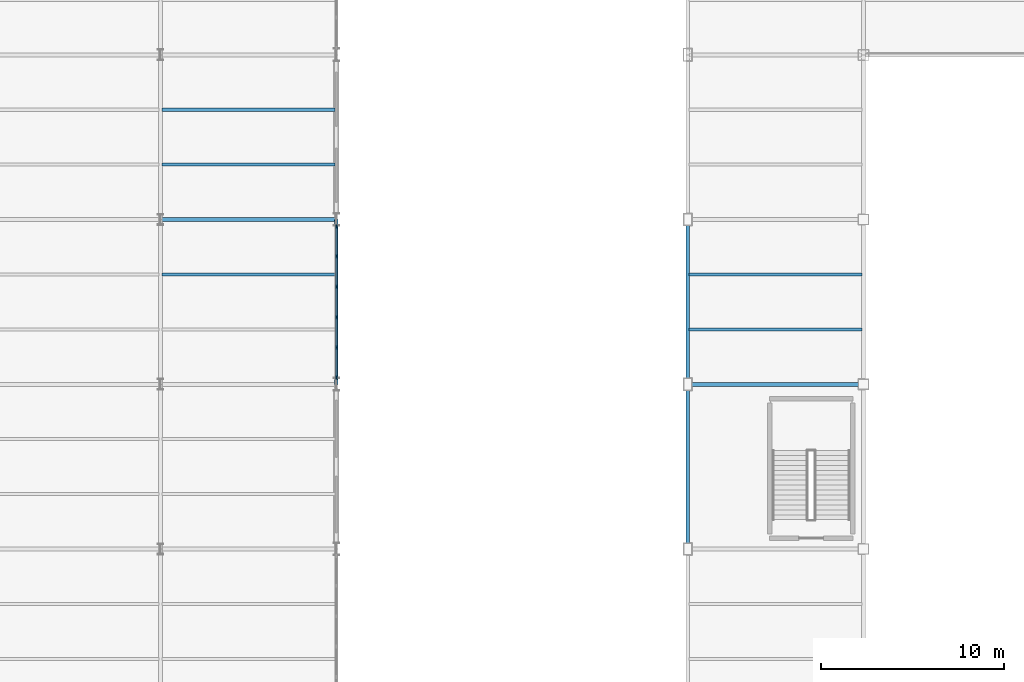
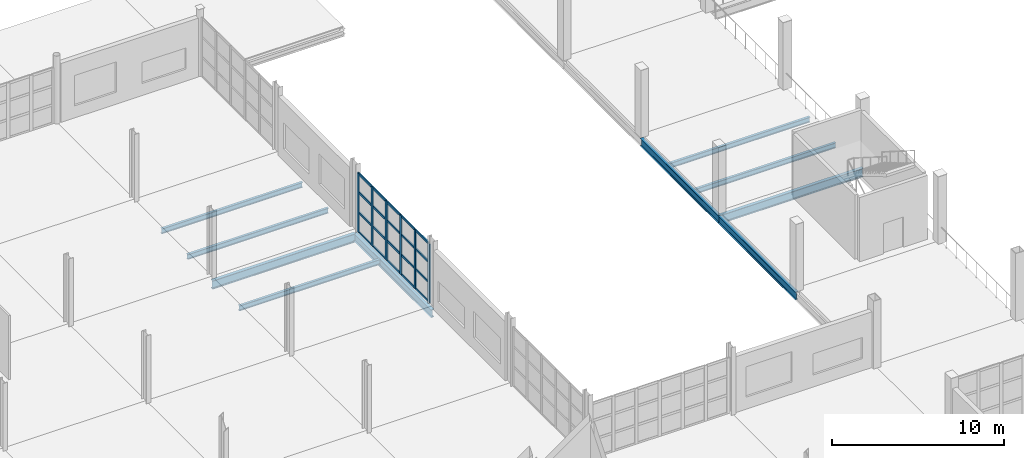
# One storey, part 24 of 120: 26 members, 10 beams, 1 element without a shape of its own.
"""IFC4 building model written with IfcOpenShell, lengths in metres."""

from ifc_helpers import new_model, si_unit, direction, frame, origin, origin_2d, place, context, subcontext, project, spatial, rectangle, i_section, extrude, material, layer, layer_set, material_profile, profile_set, type_object, element, aggregate, save


model = new_model("IFC4")

# Units and contexts
model_context = context("Model", 3, precision=1e-05, world=origin(), true_north=direction((0.0, 1.0)))
body_context = subcontext(model_context, "Body", "Model", "MODEL_VIEW")
ifc_project = project(units=[si_unit("LENGTHUNIT", "METRE"), si_unit("AREAUNIT", "SQUARE_METRE"), si_unit("VOLUMEUNIT", "CUBIC_METRE"), si_unit("PLANEANGLEUNIT", "RADIAN"), si_unit("MASSUNIT", "GRAM", prefix="KILO")], contexts=[model_context])

# Site, building, storey
site_placement = place(None, origin())
site = spatial("IfcSite", under=ifc_project, at=site_placement, CompositionType="ELEMENT")
building_placement = place(site_placement, origin())
building = spatial("IfcBuilding", under=site, at=building_placement, Name="Zarnetskaya Central Station", CompositionType="ELEMENT")
storey_placement = place(building_placement, frame((0.0, 0.0, 5.39990234375)))
storey = spatial("IfcBuildingStorey", under=building, at=storey_placement, Name="L01", CompositionType="ELEMENT", Elevation=5.39990234375)

# Beams
ifc_material_1 = material(Name="Steel S355", Category="steel")
ifc_material_profile_1 = material_profile(ifc_material_1, i_section(OverallWidth=0.169921875, OverallDepth=0.360107421875, WebThickness=0.008056640625, FlangeThickness=0.0126953125, FilletRadius=0.01806640625, at=origin_2d()), Name="IPE 360")
ifc_profile_set_1 = profile_set([ifc_material_profile_1], Name="Steel S355")
beam_type_1 = type_object("IfcBeamType", Name="BM-SEC-360", PredefinedType="BEAM", material=ifc_profile_set_1)
for number, where, z_axis, x_axis, name in (
    (1, (28.8798828125, 46.199951171875, -0.4599609375), (1.0, 0.0, 0.0), (0.0, 1.0, 0.0), "Secondary floor beam SEC-L01-Z512-DE-67-2"),
    (2, (28.8798828125, 52.199951171875, -0.4599609375), (1.0, 0.0, 0.0), (0.0, 1.0, 0.0), "Secondary floor beam SEC-L01-Z512-DE-78-1"),
    (3, (28.8798828125, 55.199951171875, -0.4599609375), (1.0, 0.0, 0.0), (0.0, 1.0, 0.0), "Secondary floor beam SEC-L01-Z512-DE-78-2"),
    (4, (57.679931640625, 43.199951171875, -0.4599609375), (1.0, 0.0, 0.0), (0.0, 1.0, 0.0), "Secondary floor beam SEC-L01-Z512-GH-67-1"),
    (5, (57.679931640625, 46.199951171875, -0.4599609375), (1.0, 0.0, 0.0), (0.0, 1.0, 0.0), "Secondary floor beam SEC-L01-Z512-GH-67-2"),
):
    element("IfcBeam", number, at=place(storey_placement, frame(where, z_axis=z_axis, x_axis=x_axis)), inside=storey, type_object=beam_type_1, Name=name, PredefinedType="BEAM", context=body_context, shape_type="SweptSolid", body=[
        extrude(i_section(OverallWidth=0.169921875, OverallDepth=0.360107421875, WebThickness=0.008056640625, FlangeThickness=0.0126953125, FilletRadius=0.01806640625, at=origin_2d()), origin(), (0.0, 0.0, 1.0), 9.440185546875),
    ])

# Curtain wall, members
ifc_material_2 = material(Name="Low-E insulated glass", Category="glass")
ifc_layer = layer(ifc_material_2, 0.176025390625, Name="Low-E insulated glass", Category="glass")
ifc_layer_set = layer_set([ifc_layer], Name="Low-E insulated glass")
curtain_wall_type = type_object("IfcCurtainWallType", Name="CW-SYS-05", PredefinedType="USERDEFINED", material=ifc_layer_set)
curtain_wall_placement = place(storey_placement, origin())
curtain_wall = element("IfcCurtainWall", 6, at=curtain_wall_placement, inside=storey, type_object=curtain_wall_type, Name="Curtain wall CW-L01-008", ObjectType="CURTAIN WALL", PredefinedType="USERDEFINED")
ifc_material_3 = material(Name="Anodised aluminium", Category="aluminium")
ifc_material_profile_2 = material_profile(ifc_material_3, rectangle(XDim=0.080078125, YDim=0.219970703125, at=origin_2d()), Name="ALU MULL 80x220")
ifc_profile_set_2 = profile_set([ifc_material_profile_2], Name="Anodised aluminium")
member_type_1 = type_object("IfcMemberType", Name="CW-MULL-220", PredefinedType="MULLION", material=ifc_profile_set_2)
member_1_placement = place(storey_placement, frame((38.39990234375, 48.81005859375, 0.0), z_axis=(0.0, 0.0, 1.0), x_axis=(1.0, 0.0, 0.0)))
member_1 = element("IfcMember", 7, at=member_1_placement, type_object=member_type_1, Name="CW-14 mullion 1", PredefinedType="MULLION", context=body_context, shape_type="SweptSolid", body=[
    extrude(rectangle(XDim=0.080078125, YDim=0.219970703125, at=origin_2d()), origin(), (0.0, 0.0, 1.0), 4.2001953125),
])
member_2_placement = place(storey_placement, frame((38.39990234375, 47.18994140625, 0.0), z_axis=(0.0, 0.0, 1.0), x_axis=(1.0, 0.0, 0.0)))
member_2 = element("IfcMember", 8, at=member_2_placement, type_object=member_type_1, Name="CW-14 mullion 2", PredefinedType="MULLION", context=body_context, shape_type="SweptSolid", body=[
    extrude(rectangle(XDim=0.080078125, YDim=0.219970703125, at=origin_2d()), origin(), (0.0, 0.0, 1.0), 4.2001953125),
])
member_3_placement = place(storey_placement, frame((38.39990234375, 45.530029296875, 0.0), z_axis=(0.0, 0.0, 1.0), x_axis=(1.0, 0.0, 0.0)))
member_3 = element("IfcMember", 9, at=member_3_placement, type_object=member_type_1, Name="CW-14 mullion 3", PredefinedType="MULLION", context=body_context, shape_type="SweptSolid", body=[
    extrude(rectangle(XDim=0.080078125, YDim=0.219970703125, at=origin_2d()), origin(), (0.0, 0.0, 1.0), 4.2001953125),
])
member_4_placement = place(storey_placement, frame((38.39990234375, 43.8701171875, 0.0), z_axis=(0.0, 0.0, 1.0), x_axis=(1.0, 0.0, 0.0)))
member_4 = element("IfcMember", 10, at=member_4_placement, type_object=member_type_1, Name="CW-14 mullion 4", PredefinedType="MULLION", context=body_context, shape_type="SweptSolid", body=[
    extrude(rectangle(XDim=0.080078125, YDim=0.219970703125, at=origin_2d()), origin(), (0.0, 0.0, 1.0), 4.2001953125),
])
member_5_placement = place(storey_placement, frame((38.39990234375, 42.2099609375, 0.0), z_axis=(0.0, 0.0, 1.0), x_axis=(1.0, 0.0, 0.0)))
member_5 = element("IfcMember", 11, at=member_5_placement, type_object=member_type_1, Name="CW-14 mullion 5", PredefinedType="MULLION", context=body_context, shape_type="SweptSolid", body=[
    extrude(rectangle(XDim=0.080078125, YDim=0.219970703125, at=origin_2d()), origin(), (0.0, 0.0, 1.0), 4.2001953125),
])
member_6_placement = place(storey_placement, frame((38.39990234375, 40.590087890625, 0.0), z_axis=(0.0, 0.0, 1.0), x_axis=(1.0, 0.0, 0.0)))
member_6 = element("IfcMember", 12, at=member_6_placement, type_object=member_type_1, Name="CW-14 mullion 6", PredefinedType="MULLION", context=body_context, shape_type="SweptSolid", body=[
    extrude(rectangle(XDim=0.080078125, YDim=0.219970703125, at=origin_2d()), origin(), (0.0, 0.0, 1.0), 4.2001953125),
])
ifc_material_profile_3 = material_profile(ifc_material_3, rectangle(XDim=0.080078125, YDim=0.159912109375, at=origin_2d()), Name="ALU TRAN 80x160")
ifc_profile_set_3 = profile_set([ifc_material_profile_3], Name="Anodised aluminium")
member_type_2 = type_object("IfcMemberType", Name="CW-TRAN-160", PredefinedType="USERDEFINED", material=ifc_profile_set_3)
member_7_placement = place(storey_placement, frame((38.39990234375, 48.77001953125, 0.0400390625), z_axis=(0.0, -1.0, 0.0), x_axis=(1.0, 0.0, 0.0)))
member_7 = element("IfcMember", 13, at=member_7_placement, type_object=member_type_2, Name="CW-14 transom 1.1", ObjectType="TRANSOM", PredefinedType="USERDEFINED", context=body_context, shape_type="SweptSolid", body=[
    extrude(rectangle(XDim=0.080078125, YDim=0.159912109375, at=origin_2d()), origin(), (0.0, 0.0, 1.0), 1.5400390625),
])
member_8_placement = place(storey_placement, frame((38.39990234375, 48.77001953125, 1.427978515625), z_axis=(0.0, -1.0, 0.0), x_axis=(1.0, 0.0, 0.0)))
member_8 = element("IfcMember", 14, at=member_8_placement, type_object=member_type_2, Name="CW-14 transom 1.2", ObjectType="TRANSOM", PredefinedType="USERDEFINED", context=body_context, shape_type="SweptSolid", body=[
    extrude(rectangle(XDim=0.080078125, YDim=0.159912109375, at=origin_2d()), origin(), (0.0, 0.0, 1.0), 1.5400390625),
])
member_9_placement = place(storey_placement, frame((38.39990234375, 48.77001953125, 2.856201171875), z_axis=(0.0, -1.0, 0.0), x_axis=(1.0, 0.0, 0.0)))
member_9 = element("IfcMember", 15, at=member_9_placement, type_object=member_type_2, Name="CW-14 transom 1.3", ObjectType="TRANSOM", PredefinedType="USERDEFINED", context=body_context, shape_type="SweptSolid", body=[
    extrude(rectangle(XDim=0.080078125, YDim=0.159912109375, at=origin_2d()), origin(), (0.0, 0.0, 1.0), 1.5400390625),
])
member_10_placement = place(storey_placement, frame((38.39990234375, 48.77001953125, 4.16015625), z_axis=(0.0, -1.0, 0.0), x_axis=(1.0, 0.0, 0.0)))
member_10 = element("IfcMember", 16, at=member_10_placement, type_object=member_type_2, Name="CW-14 transom 1.4", ObjectType="TRANSOM", PredefinedType="USERDEFINED", context=body_context, shape_type="SweptSolid", body=[
    extrude(rectangle(XDim=0.080078125, YDim=0.159912109375, at=origin_2d()), origin(), (0.0, 0.0, 1.0), 1.5400390625),
])
member_11_placement = place(storey_placement, frame((38.39990234375, 47.14990234375, 0.0400390625), z_axis=(0.0, -1.0, 0.0), x_axis=(1.0, 0.0, 0.0)))
member_11 = element("IfcMember", 17, at=member_11_placement, type_object=member_type_2, Name="CW-14 transom 2.1", ObjectType="TRANSOM", PredefinedType="USERDEFINED", context=body_context, shape_type="SweptSolid", body=[
    extrude(rectangle(XDim=0.080078125, YDim=0.159912109375, at=origin_2d()), origin(), (0.0, 0.0, 1.0), 1.579833984375),
])
member_12_placement = place(storey_placement, frame((38.39990234375, 47.14990234375, 1.427978515625), z_axis=(0.0, -1.0, 0.0), x_axis=(1.0, 0.0, 0.0)))
member_12 = element("IfcMember", 18, at=member_12_placement, type_object=member_type_2, Name="CW-14 transom 2.2", ObjectType="TRANSOM", PredefinedType="USERDEFINED", context=body_context, shape_type="SweptSolid", body=[
    extrude(rectangle(XDim=0.080078125, YDim=0.159912109375, at=origin_2d()), origin(), (0.0, 0.0, 1.0), 1.579833984375),
])
member_13_placement = place(storey_placement, frame((38.39990234375, 47.14990234375, 2.856201171875), z_axis=(0.0, -1.0, 0.0), x_axis=(1.0, 0.0, 0.0)))
member_13 = element("IfcMember", 19, at=member_13_placement, type_object=member_type_2, Name="CW-14 transom 2.3", ObjectType="TRANSOM", PredefinedType="USERDEFINED", context=body_context, shape_type="SweptSolid", body=[
    extrude(rectangle(XDim=0.080078125, YDim=0.159912109375, at=origin_2d()), origin(), (0.0, 0.0, 1.0), 1.579833984375),
])
member_14_placement = place(storey_placement, frame((38.39990234375, 47.14990234375, 4.16015625), z_axis=(0.0, -1.0, 0.0), x_axis=(1.0, 0.0, 0.0)))
member_14 = element("IfcMember", 20, at=member_14_placement, type_object=member_type_2, Name="CW-14 transom 2.4", ObjectType="TRANSOM", PredefinedType="USERDEFINED", context=body_context, shape_type="SweptSolid", body=[
    extrude(rectangle(XDim=0.080078125, YDim=0.159912109375, at=origin_2d()), origin(), (0.0, 0.0, 1.0), 1.579833984375),
])
member_15_placement = place(storey_placement, frame((38.39990234375, 45.489990234375, 0.0400390625), z_axis=(0.0, -1.0, 0.0), x_axis=(1.0, 0.0, 0.0)))
member_15 = element("IfcMember", 21, at=member_15_placement, type_object=member_type_2, Name="CW-14 transom 3.1", ObjectType="TRANSOM", PredefinedType="USERDEFINED", context=body_context, shape_type="SweptSolid", body=[
    extrude(rectangle(XDim=0.080078125, YDim=0.159912109375, at=origin_2d()), origin(), (0.0, 0.0, 1.0), 1.580078125),
])
member_16_placement = place(storey_placement, frame((38.39990234375, 45.489990234375, 1.427978515625), z_axis=(0.0, -1.0, 0.0), x_axis=(1.0, 0.0, 0.0)))
member_16 = element("IfcMember", 22, at=member_16_placement, type_object=member_type_2, Name="CW-14 transom 3.2", ObjectType="TRANSOM", PredefinedType="USERDEFINED", context=body_context, shape_type="SweptSolid", body=[
    extrude(rectangle(XDim=0.080078125, YDim=0.159912109375, at=origin_2d()), origin(), (0.0, 0.0, 1.0), 1.580078125),
])
member_17_placement = place(storey_placement, frame((38.39990234375, 45.489990234375, 2.856201171875), z_axis=(0.0, -1.0, 0.0), x_axis=(1.0, 0.0, 0.0)))
member_17 = element("IfcMember", 23, at=member_17_placement, type_object=member_type_2, Name="CW-14 transom 3.3", ObjectType="TRANSOM", PredefinedType="USERDEFINED", context=body_context, shape_type="SweptSolid", body=[
    extrude(rectangle(XDim=0.080078125, YDim=0.159912109375, at=origin_2d()), origin(), (0.0, 0.0, 1.0), 1.580078125),
])
member_18_placement = place(storey_placement, frame((38.39990234375, 45.489990234375, 4.16015625), z_axis=(0.0, -1.0, 0.0), x_axis=(1.0, 0.0, 0.0)))
member_18 = element("IfcMember", 24, at=member_18_placement, type_object=member_type_2, Name="CW-14 transom 3.4", ObjectType="TRANSOM", PredefinedType="USERDEFINED", context=body_context, shape_type="SweptSolid", body=[
    extrude(rectangle(XDim=0.080078125, YDim=0.159912109375, at=origin_2d()), origin(), (0.0, 0.0, 1.0), 1.580078125),
])
member_19_placement = place(storey_placement, frame((38.39990234375, 43.830078125, 0.0400390625), z_axis=(0.0, -1.0, 0.0), x_axis=(1.0, 0.0, 0.0)))
member_19 = element("IfcMember", 25, at=member_19_placement, type_object=member_type_2, Name="CW-14 transom 4.1", ObjectType="TRANSOM", PredefinedType="USERDEFINED", context=body_context, shape_type="SweptSolid", body=[
    extrude(rectangle(XDim=0.080078125, YDim=0.159912109375, at=origin_2d()), origin(), (0.0, 0.0, 1.0), 1.580078125),
])
member_20_placement = place(storey_placement, frame((38.39990234375, 43.830078125, 1.427978515625), z_axis=(0.0, -1.0, 0.0), x_axis=(1.0, 0.0, 0.0)))
member_20 = element("IfcMember", 26, at=member_20_placement, type_object=member_type_2, Name="CW-14 transom 4.2", ObjectType="TRANSOM", PredefinedType="USERDEFINED", context=body_context, shape_type="SweptSolid", body=[
    extrude(rectangle(XDim=0.080078125, YDim=0.159912109375, at=origin_2d()), origin(), (0.0, 0.0, 1.0), 1.580078125),
])
member_21_placement = place(storey_placement, frame((38.39990234375, 43.830078125, 2.856201171875), z_axis=(0.0, -1.0, 0.0), x_axis=(1.0, 0.0, 0.0)))
member_21 = element("IfcMember", 27, at=member_21_placement, type_object=member_type_2, Name="CW-14 transom 4.3", ObjectType="TRANSOM", PredefinedType="USERDEFINED", context=body_context, shape_type="SweptSolid", body=[
    extrude(rectangle(XDim=0.080078125, YDim=0.159912109375, at=origin_2d()), origin(), (0.0, 0.0, 1.0), 1.580078125),
])
member_22_placement = place(storey_placement, frame((38.39990234375, 43.830078125, 4.16015625), z_axis=(0.0, -1.0, 0.0), x_axis=(1.0, 0.0, 0.0)))
member_22 = element("IfcMember", 28, at=member_22_placement, type_object=member_type_2, Name="CW-14 transom 4.4", ObjectType="TRANSOM", PredefinedType="USERDEFINED", context=body_context, shape_type="SweptSolid", body=[
    extrude(rectangle(XDim=0.080078125, YDim=0.159912109375, at=origin_2d()), origin(), (0.0, 0.0, 1.0), 1.580078125),
])
member_23_placement = place(storey_placement, frame((38.39990234375, 42.169921875, 0.0400390625), z_axis=(0.0, -1.0, 0.0), x_axis=(1.0, 0.0, 0.0)))
member_23 = element("IfcMember", 29, at=member_23_placement, type_object=member_type_2, Name="CW-14 transom 5.1", ObjectType="TRANSOM", PredefinedType="USERDEFINED", context=body_context, shape_type="SweptSolid", body=[
    extrude(rectangle(XDim=0.080078125, YDim=0.159912109375, at=origin_2d()), origin(), (0.0, 0.0, 1.0), 1.5400390625),
])
member_24_placement = place(storey_placement, frame((38.39990234375, 42.169921875, 1.427978515625), z_axis=(0.0, -1.0, 0.0), x_axis=(1.0, 0.0, 0.0)))
member_24 = element("IfcMember", 30, at=member_24_placement, type_object=member_type_2, Name="CW-14 transom 5.2", ObjectType="TRANSOM", PredefinedType="USERDEFINED", context=body_context, shape_type="SweptSolid", body=[
    extrude(rectangle(XDim=0.080078125, YDim=0.159912109375, at=origin_2d()), origin(), (0.0, 0.0, 1.0), 1.5400390625),
])
member_25_placement = place(storey_placement, frame((38.39990234375, 42.169921875, 2.856201171875), z_axis=(0.0, -1.0, 0.0), x_axis=(1.0, 0.0, 0.0)))
member_25 = element("IfcMember", 31, at=member_25_placement, type_object=member_type_2, Name="CW-14 transom 5.3", ObjectType="TRANSOM", PredefinedType="USERDEFINED", context=body_context, shape_type="SweptSolid", body=[
    extrude(rectangle(XDim=0.080078125, YDim=0.159912109375, at=origin_2d()), origin(), (0.0, 0.0, 1.0), 1.5400390625),
])
member_26_placement = place(storey_placement, frame((38.39990234375, 42.169921875, 4.16015625), z_axis=(0.0, -1.0, 0.0), x_axis=(1.0, 0.0, 0.0)))
member_26 = element("IfcMember", 32, at=member_26_placement, type_object=member_type_2, Name="CW-14 transom 5.4", ObjectType="TRANSOM", PredefinedType="USERDEFINED", context=body_context, shape_type="SweptSolid", body=[
    extrude(rectangle(XDim=0.080078125, YDim=0.159912109375, at=origin_2d()), origin(), (0.0, 0.0, 1.0), 1.5400390625),
])
aggregate(curtain_wall, [member_1, member_2, member_3, member_4, member_5, member_6, member_7, member_8, member_9, member_10, member_11, member_12, member_13, member_14, member_15, member_16, member_17, member_18, member_19, member_20, member_21, member_22, member_23, member_24, member_25, member_26])

# Beams
ifc_material_profile_4 = material_profile(ifc_material_1, i_section(OverallWidth=0.2099609375, OverallDepth=0.550048828125, WebThickness=0.010986328125, FlangeThickness=0.01708984375, FilletRadius=0.02392578125, at=origin_2d()), Name="IPE 550")
ifc_profile_set_4 = profile_set([ifc_material_profile_4], Name="Steel S355")
beam_type_2 = type_object("IfcBeamType", Name="GD-FLR-550", PredefinedType="USERDEFINED", material=ifc_profile_set_4)
for number, where, z_axis, x_axis, name in (
    (33, (38.39990234375, 40.199951171875, -0.554931640625), (0.0, 1.0, 0.0), (-1.0, 0.0, 0.0), "Grid girder GY-L01-E-67"),
    (34, (57.60009765625, 31.199951171875, -0.554931640625), (0.0, 1.0, 0.0), (-1.0, 0.0, 0.0), "Grid girder GY-L01-G-56"),
    (35, (57.60009765625, 40.199951171875, -0.554931640625), (0.0, 1.0, 0.0), (-1.0, 0.0, 0.0), "Grid girder GY-L01-G-67"),
):
    element("IfcBeam", number, at=place(storey_placement, frame(where, z_axis=z_axis, x_axis=x_axis)), inside=storey, type_object=beam_type_2, Name=name, ObjectType="GIRDER", PredefinedType="USERDEFINED", context=body_context, shape_type="SweptSolid", body=[
        extrude(i_section(OverallWidth=0.2099609375, OverallDepth=0.550048828125, WebThickness=0.010986328125, FlangeThickness=0.01708984375, FilletRadius=0.02392578125, at=origin_2d()), origin(), (0.0, 0.0, 1.0), 9.0),
    ])
ifc_material_profile_5 = material_profile(ifc_material_1, i_section(OverallWidth=0.219970703125, OverallDepth=0.60009765625, WebThickness=0.011962890625, FlangeThickness=0.01904296875, FilletRadius=0.02392578125, at=origin_2d()), Name="IPE 600")
ifc_profile_set_5 = profile_set([ifc_material_profile_5], Name="Steel S355")
beam_type_3 = type_object("IfcBeamType", Name="GD-FLR-600", PredefinedType="USERDEFINED", material=ifc_profile_set_5)
for number, where, z_axis, x_axis, name in (
    (36, (28.800048828125, 49.199951171875, -0.579833984375), (1.0, 0.0, 0.0), (0.0, 1.0, 0.0), "Grid girder GX-L01-7-DE"),
    (37, (57.60009765625, 40.199951171875, -0.579833984375), (1.0, 0.0, 0.0), (0.0, 1.0, 0.0), "Grid girder GX-L01-6-GH"),
):
    element("IfcBeam", number, at=place(storey_placement, frame(where, z_axis=z_axis, x_axis=x_axis)), inside=storey, type_object=beam_type_3, Name=name, ObjectType="GIRDER", PredefinedType="USERDEFINED", context=body_context, shape_type="SweptSolid", body=[
        extrude(i_section(OverallWidth=0.219970703125, OverallDepth=0.60009765625, WebThickness=0.011962890625, FlangeThickness=0.01904296875, FilletRadius=0.02392578125, at=origin_2d()), origin(), (0.0, 0.0, 1.0), 9.599853515625),
    ])

save(model, "model.ifc")
